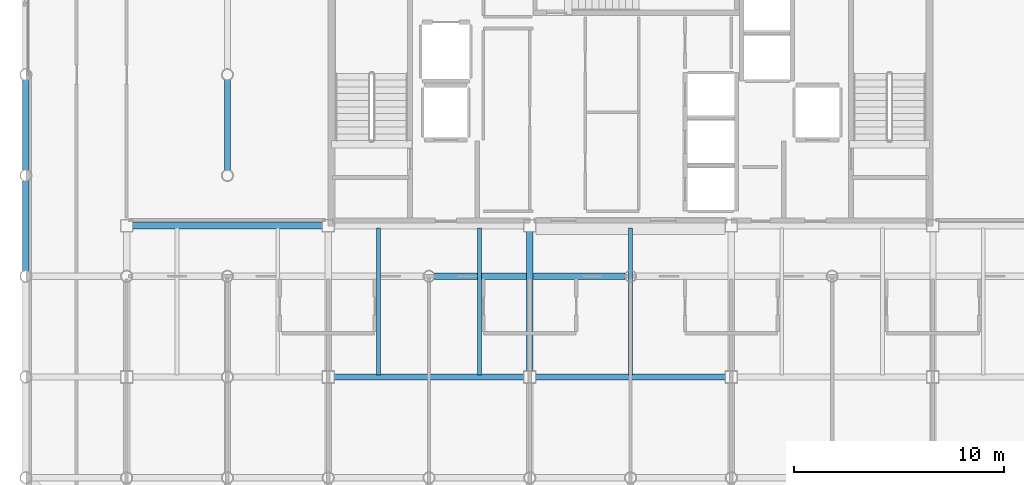
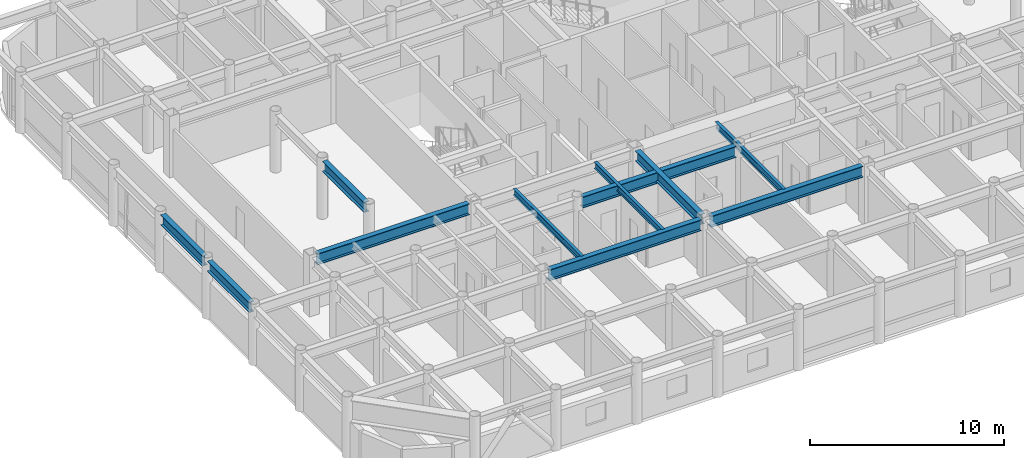
# One storey, part 5 of 23: 11 beams.
"""IFC4 building model written with IfcOpenShell, lengths in metres."""

import ifcopenshell
import ifcopenshell.guid

model = None  # the IFC model being written
_history = None  # IfcOwnerHistory: only IFC2X3 demands one
_inside = {}  # id of a spatial element -> (the spatial element, [elements in it])
_under = {}  # id of a project, library or spatial element -> (it, [spatial elements below it])
_declared = {}  # id of a project -> (the project, [libraries it declares])
_typed = {}  # id of a type object -> (the type object, [elements of that type])
_made_of = {}  # id of a material, layer set ... -> (it, [elements and type objects made of it])


def new_model(schema):
    """Start an empty IFC model of exactly this schema.

    Asked for "IFC4X3", IfcOpenShell would pick the latest addendum, in which some entities
    have other attributes; the version numbers below select the first issue.
    IFC2X3 requires an IfcOwnerHistory on every rooted entity: one is made here for all.
    """
    global model, _history
    if schema == "IFC4X3":
        model = ifcopenshell.file(schema_version=(4, 3, 0, 0))
    else:
        model = ifcopenshell.file(schema=schema)
    _inside.clear()
    _under.clear()
    _declared.clear()
    _typed.clear()
    _made_of.clear()
    _history = None
    if model.schema == "IFC2X3":
        org = make("IfcOrganization", Name="unknown")
        user = make(
            "IfcPersonAndOrganization",
            ThePerson=make("IfcPerson", FamilyName="unknown"),
            TheOrganization=org,
        )
        app = make(
            "IfcApplication",
            ApplicationDeveloper=org,
            Version="unknown",
            ApplicationFullName="unknown",
            ApplicationIdentifier="unknown",
        )
        _history = make(
            "IfcOwnerHistory",
            OwningUser=user,
            OwningApplication=app,
            ChangeAction="ADDED",
            CreationDate=0,
        )
    return model


def make(cls, **values):
    """One entity of the class cls with the attributes given. An attribute that is None is left unset."""
    return model.create_entity(
        cls, **{name: value for name, value in values.items() if value is not None}
    )


def rooted(cls, **values):
    """An entity with a GlobalId (a new one), such as an element, a storey or a relation."""
    return make(cls, GlobalId=ifcopenshell.guid.new(), OwnerHistory=_history, **values)


def si_unit(unit_type, name, prefix=None):
    """IfcSIUnit, for example si_unit("LENGTHUNIT", "METRE", prefix="MILLI")."""
    return make("IfcSIUnit", UnitType=unit_type, Prefix=prefix, Name=name)


def assignment(units):
    """IfcUnitAssignment: the units of a project."""
    return None if units is None else make("IfcUnitAssignment", Units=units)


def point(xyz):
    """IfcCartesianPoint."""
    return None if xyz is None else make("IfcCartesianPoint", Coordinates=xyz)


def direction(xyz):
    """IfcDirection."""
    return None if xyz is None else make("IfcDirection", DirectionRatios=xyz)


def frame(location, z_axis=None, x_axis=None):
    """IfcAxis2Placement3D, a coordinate frame: its origin and axes. An axis left out is left unset."""
    return make(
        "IfcAxis2Placement3D",
        Location=point(location),
        Axis=direction(z_axis),
        RefDirection=direction(x_axis),
    )


def frame_2d(location, x_axis=None):
    """IfcAxis2Placement2D, a coordinate frame in the plane: its origin and x axis."""
    return make(
        "IfcAxis2Placement2D", Location=point(location), RefDirection=direction(x_axis)
    )


def origin():
    """The frame at (0, 0, 0) with its axes left unset."""
    return frame((0.0, 0.0, 0.0))


def origin_2d():
    """The frame at (0, 0) in the plane with its x axis left unset."""
    return frame_2d((0.0, 0.0))


def place(relative_to, where):
    """IfcLocalPlacement: puts the frame where relative to a parent placement (None: the world)."""
    return make(
        "IfcLocalPlacement", PlacementRelTo=relative_to, RelativePlacement=where
    )


def context(
    kind, dimensions, precision=None, world=None, true_north=None, identifier=None
):
    """IfcGeometricRepresentationContext, for example the 3D "Model" context."""
    return make(
        "IfcGeometricRepresentationContext",
        ContextIdentifier=identifier,
        ContextType=kind,
        CoordinateSpaceDimension=dimensions,
        Precision=precision,
        WorldCoordinateSystem=world,
        TrueNorth=true_north,
    )


def subcontext(parent, identifier, kind, view, scale=None):
    """IfcGeometricRepresentationSubContext, for example "Body" below "Model"."""
    return make(
        "IfcGeometricRepresentationSubContext",
        ContextIdentifier=identifier,
        ContextType=kind,
        ParentContext=parent,
        TargetScale=scale,
        TargetView=view,
    )


def project(units=None, contexts=None):
    """IfcProject with its units and contexts."""
    return rooted(
        "IfcProject",
        Name="project",
        RepresentationContexts=contexts,
        UnitsInContext=assignment(units),
    )


def spatial(cls, under=None, at=None, **own):
    """A site, building, storey or space (cls), placed at a placement, below another one or the project."""
    s = rooted(cls, ObjectPlacement=at, **own)
    if under is not None:
        _under.setdefault(under.id(), (under, []))[1].append(s)
    return s


def profile(cls, at=None, kind="AREA", **sizes):
    """A parametric profile (cls). Its sizes go by their IFC names, for example OverallWidth=200.0."""
    return make(cls, ProfileType=kind, Position=at, **sizes)


def i_section(**sizes):
    """IfcIShapeProfileDef."""
    return profile("IfcIShapeProfileDef", **sizes)


def extrude(swept, where, along, depth):
    """IfcExtrudedAreaSolid: the profile swept, set in the frame where, extruded along a direction by depth."""
    return make(
        "IfcExtrudedAreaSolid",
        SweptArea=swept,
        Position=where,
        ExtrudedDirection=direction(along),
        Depth=depth,
    )


def shape(context_of_items, identifier, shape_type, items):
    """IfcShapeRepresentation: the items that make up one representation, for example the "Body"."""
    return make(
        "IfcShapeRepresentation",
        ContextOfItems=context_of_items,
        RepresentationIdentifier=identifier,
        RepresentationType=shape_type,
        Items=items,
    )


def material(Name=None, Category=None):
    """IfcMaterial."""
    return make("IfcMaterial", Name=Name, Category=Category)


def material_profile(
    of_material, cross_section, Name=None, Category=None, Priority=None
):
    """IfcMaterialProfile: a cross section and its material."""
    return make(
        "IfcMaterialProfile",
        Name=Name,
        Material=of_material,
        Profile=cross_section,
        Priority=Priority,
        Category=Category,
    )


def profile_set(profiles, Name=None, composite=None):
    """IfcMaterialProfileSet."""
    return make(
        "IfcMaterialProfileSet",
        Name=Name,
        MaterialProfiles=profiles,
        CompositeProfile=composite,
    )


def made_of(thing, what):
    """Note that an element or type object is made of a material, layer set ...; save() writes the relation."""
    if what is not None:
        _made_of.setdefault(what.id(), (what, []))[1].append(thing)
    return thing


def type_object(cls, material=None, **own):
    """A type object (cls), such as IfcWallType, which elements share."""
    return made_of(rooted(cls, **own), material)


def element(
    cls,
    number,
    at=None,
    inside=None,
    cuts=None,
    type_object=None,
    material=None,
    context=None,
    identifier="Body",
    shape_type=None,
    held_by="IfcProductDefinitionShape",
    body=None,
    shapes=None,
    **own,
):
    """One element of the class cls, such as IfcWall. Its Tag is "e" and its number.

    at: its placement. inside: the storey or other place that contains it. cuts: it is an
    opening in that element (IfcRelVoidsElement). A single representation is given by context,
    identifier, shape_type and body (its items); several are given by shapes. held_by: the class
    of the entity that holds the representations. save() writes the other relations.
    """
    e = rooted(cls, Tag="e%d" % number, ObjectPlacement=at, **own)
    if body is not None:
        shapes = [shape(context, identifier, shape_type, body)]
    if shapes is not None:
        e.Representation = make(held_by, Representations=shapes)
    if inside is not None:
        _inside.setdefault(inside.id(), (inside, []))[1].append(e)
    if cuts is not None:
        rooted(
            "IfcRelVoidsElement", RelatingBuildingElement=cuts, RelatedOpeningElement=e
        )
    if type_object is not None:
        _typed.setdefault(type_object.id(), (type_object, []))[1].append(e)
    return made_of(e, material)


def aggregate(whole, parts):
    """IfcRelAggregates: a whole, such as a stair, and the parts it consists of."""
    return rooted("IfcRelAggregates", RelatingObject=whole, RelatedObjects=parts)


def save(model, path):
    """Write the relations noted so far, then the file.

    IfcRelAggregates (storeys below a building ...), IfcRelContainedInSpatialStructure (elements
    in a storey), IfcRelDefinesByType, IfcRelAssociatesMaterial and IfcRelDeclares: one each for
    every whole, place, type object, material and project.
    """
    for whole, parts in _under.values():
        aggregate(whole, parts)
    for where, things in _inside.values():
        rooted(
            "IfcRelContainedInSpatialStructure",
            RelatedElements=things,
            RelatingStructure=where,
        )
    for kind, things in _typed.values():
        rooted("IfcRelDefinesByType", RelatedObjects=things, RelatingType=kind)
    for what, things in _made_of.values():
        rooted("IfcRelAssociatesMaterial", RelatedObjects=things, RelatingMaterial=what)
    for by, libraries in _declared.values():
        rooted("IfcRelDeclares", RelatingContext=by, RelatedDefinitions=libraries)
    model.write(path)


model = new_model("IFC4")

# Units and contexts
model_context = context("Model", 3, precision=1e-05, world=origin(), true_north=direction((0.0, 1.0)))
body_context = subcontext(model_context, "Body", "Model", "MODEL_VIEW")
ifc_project = project(units=[si_unit("LENGTHUNIT", "METRE"), si_unit("AREAUNIT", "SQUARE_METRE"), si_unit("VOLUMEUNIT", "CUBIC_METRE"), si_unit("PLANEANGLEUNIT", "RADIAN"), si_unit("MASSUNIT", "GRAM", prefix="KILO")], contexts=[model_context])

# Site, building, storey
site_placement = place(None, origin())
site = spatial("IfcSite", under=ifc_project, at=site_placement, CompositionType="ELEMENT")
building_placement = place(site_placement, origin())
building = spatial("IfcBuilding", under=site, at=building_placement, Name="Kallvorn Hotel Tower", CompositionType="ELEMENT")
storey_placement = place(building_placement, frame((0.0, 0.0, 195.35009765625)))
storey = spatial("IfcBuildingStorey", under=building, at=storey_placement, Name="L48", CompositionType="ELEMENT", Elevation=195.35009765625)

# Beams
ifc_material_1 = material(Name="Structural steel S355JR", Category="steel")
ifc_material_profile_1 = material_profile(ifc_material_1, i_section(OverallWidth=0.300048828125, OverallDepth=0.64990234375, WebThickness=0.01611328125, FlangeThickness=0.031005859375, at=origin_2d()), Name="HE 650 B")
ifc_profile_set_1 = profile_set([ifc_material_profile_1], Name="Structural steel S355JR")
beam_type_1 = type_object("IfcBeamType", Name="BM_HE650B", PredefinedType="BEAM", material=ifc_profile_set_1)
for number, where, z_axis, x_axis, name in (
    (1, (-28.800048828125, -9.345458984375, 3.344970703125), (0.0, 1.0, 0.0), (-1.0, 0.0, 0.0), "L49 Primary Y-Girder 75"),
    (2, (-28.800048828125, -4.54541015625, 3.344970703125), (0.0, 1.0, 0.0), (-1.0, 0.0, 0.0), "L49 Primary Y-Girder 76"),
    (3, (-19.199951171875, -4.54541015625, 3.344970703125), (0.0, 1.0, 0.0), (-1.0, 0.0, 0.0), "L49 Primary Y-Girder 92"),
):
    element("IfcBeam", number, at=place(storey_placement, frame(where, z_axis=z_axis, x_axis=x_axis)), inside=storey, type_object=beam_type_1, Name=name, PredefinedType="BEAM", context=body_context, shape_type="SweptSolid", body=[
        extrude(i_section(OverallWidth=0.300048828125, OverallDepth=0.64990234375, WebThickness=0.01611328125, FlangeThickness=0.031005859375, at=origin_2d()), origin(), (0.0, 0.0, 1.0), 4.291015625),
    ])
beam_1_placement = place(storey_placement, frame((-4.800048828125, -14.125, 3.344970703125), z_axis=(0.0, 1.0, 0.0), x_axis=(-1.0, 0.0, 0.0)))
element("IfcBeam", 4, at=beam_1_placement, inside=storey, type_object=beam_type_1, Name="L49 Primary Y-Girder 107", PredefinedType="BEAM", context=body_context, shape_type="SweptSolid", body=[
    extrude(i_section(OverallWidth=0.300048828125, OverallDepth=0.64990234375, WebThickness=0.01611328125, FlangeThickness=0.031005859375, at=origin_2d()), origin(), (0.0, 0.0, 1.0), 6.64990234375),
])
ifc_material_2 = material(Name="Structural steel S355JR", Category="steel")
ifc_material_profile_2 = material_profile(ifc_material_2, i_section(OverallWidth=0.300048828125, OverallDepth=0.699951171875, WebThickness=0.01708984375, FlangeThickness=0.031982421875, at=origin_2d()), Name="HE 700 B")
ifc_profile_set_2 = profile_set([ifc_material_profile_2], Name="Structural steel S355JR")
beam_type_2 = type_object("IfcBeamType", Name="BM_HE700B", PredefinedType="BEAM", material=ifc_profile_set_2)
beam_2_placement = place(storey_placement, frame((-14.125, -14.39990234375, 3.31982421875), z_axis=(1.0, 0.0, 0.0), x_axis=(0.0, 1.0, 0.0)))
element("IfcBeam", 5, at=beam_2_placement, inside=storey, type_object=beam_type_2, Name="L49 Primary X-Girder 17", PredefinedType="BEAM", context=body_context, shape_type="SweptSolid", body=[
    extrude(i_section(OverallWidth=0.300048828125, OverallDepth=0.699951171875, WebThickness=0.01708984375, FlangeThickness=0.031982421875, at=origin_2d()), origin(), (0.0, 0.0, 1.0), 9.050048828125),
])
beam_3_placement = place(storey_placement, frame((-4.52490234375, -14.39990234375, 3.31982421875), z_axis=(1.0, 0.0, 0.0), x_axis=(0.0, 1.0, 0.0)))
element("IfcBeam", 6, at=beam_3_placement, inside=storey, type_object=beam_type_2, Name="L49 Primary X-Girder 18", PredefinedType="BEAM", context=body_context, shape_type="SweptSolid", body=[
    extrude(i_section(OverallWidth=0.300048828125, OverallDepth=0.699951171875, WebThickness=0.01708984375, FlangeThickness=0.031982421875, at=origin_2d()), origin(), (0.0, 0.0, 1.0), 9.0498046875),
])
beam_4_placement = place(storey_placement, frame((-9.345458984375, -9.60009765625, 3.31982421875), z_axis=(1.0, 0.0, 0.0), x_axis=(0.0, 1.0, 0.0)))
element("IfcBeam", 7, at=beam_4_placement, inside=storey, type_object=beam_type_2, Name="L49 Primary X-Girder 27", PredefinedType="BEAM", context=body_context, shape_type="SweptSolid", body=[
    extrude(i_section(OverallWidth=0.300048828125, OverallDepth=0.699951171875, WebThickness=0.01708984375, FlangeThickness=0.031982421875, at=origin_2d()), origin(), (0.0, 0.0, 1.0), 9.091064453125),
])
beam_5_placement = place(storey_placement, frame((-23.72509765625, -7.199951171875, 3.31982421875), z_axis=(1.0, 0.0, 0.0), x_axis=(0.0, 1.0, 0.0)))
element("IfcBeam", 8, at=beam_5_placement, inside=storey, type_object=beam_type_2, Name="L49 Primary X-Girder 33", PredefinedType="BEAM", context=body_context, shape_type="SweptSolid", body=[
    extrude(i_section(OverallWidth=0.300048828125, OverallDepth=0.699951171875, WebThickness=0.01708984375, FlangeThickness=0.031982421875, at=origin_2d()), origin(), (0.0, 0.0, 1.0), 9.050048828125),
])
ifc_material_3 = material(Name="Structural steel S355JR", Category="steel")
ifc_material_profile_3 = material_profile(ifc_material_3, i_section(OverallWidth=0.179931640625, OverallDepth=0.39990234375, WebThickness=0.008544921875, FlangeThickness=0.013427734375, at=origin_2d()), Name="IPE 400")
ifc_profile_set_3 = profile_set([ifc_material_profile_3], Name="Structural steel S355JR")
beam_type_3 = type_object("IfcBeamType", Name="BM_IPE400", PredefinedType="JOIST", material=ifc_profile_set_3)
for number, where, z_axis, x_axis, name in (
    (9, (-12.0, -14.300048828125, 3.469970703125), (0.0, 1.0, 0.0), (-1.0, 0.0, 0.0), "L49 Secondary Composite Joist 196"),
    (10, (-7.199951171875, -14.300048828125, 3.469970703125), (0.0, 1.0, 0.0), (-1.0, 0.0, 0.0), "L49 Secondary Composite Joist 198"),
    (11, (0.0, -14.300048828125, 3.469970703125), (0.0, 1.0, 0.0), (-1.0, 0.0, 0.0), "L49 Secondary Composite Joist 200"),
):
    element("IfcBeam", number, at=place(storey_placement, frame(where, z_axis=z_axis, x_axis=x_axis)), inside=storey, type_object=beam_type_3, Name=name, PredefinedType="JOIST", context=body_context, shape_type="SweptSolid", body=[
        extrude(i_section(OverallWidth=0.179931640625, OverallDepth=0.39990234375, WebThickness=0.008544921875, FlangeThickness=0.013427734375, at=origin_2d()), origin(), (0.0, 0.0, 1.0), 7.0),
    ])

save(model, "model.ifc")
